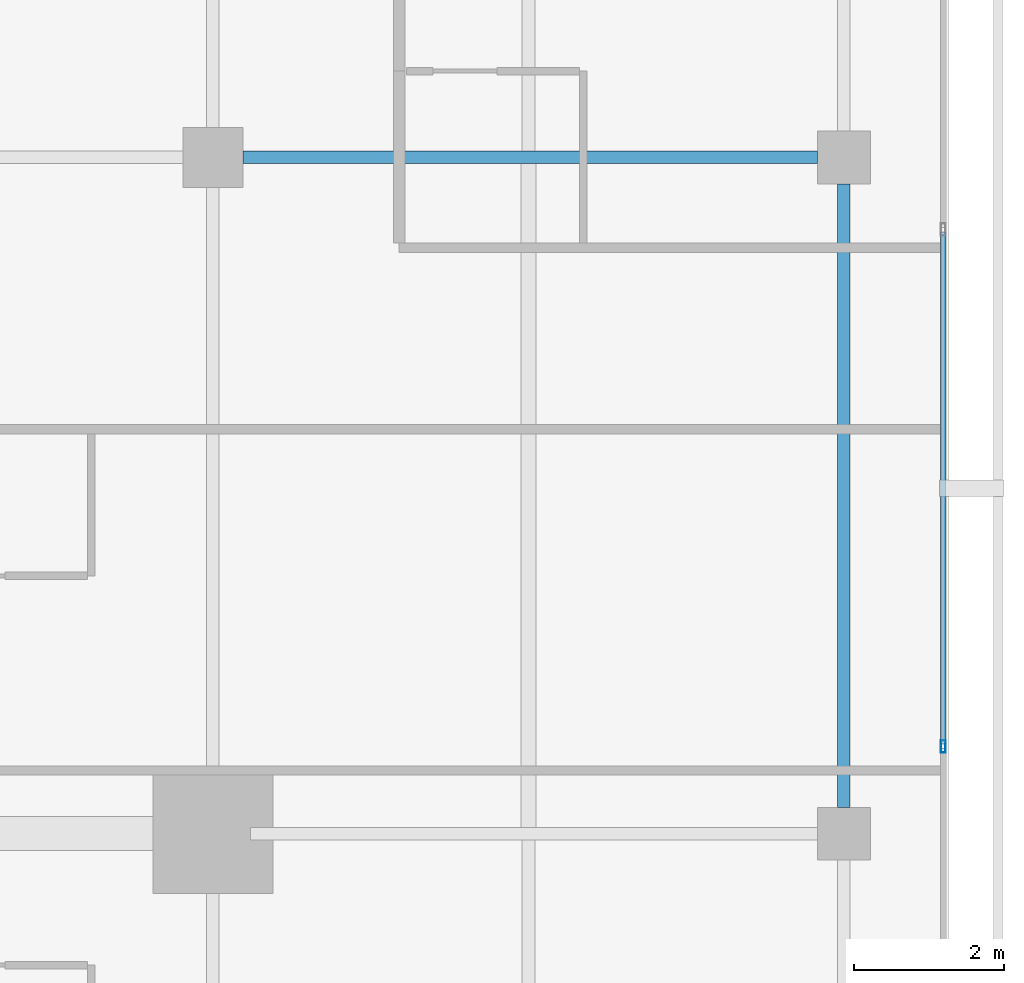
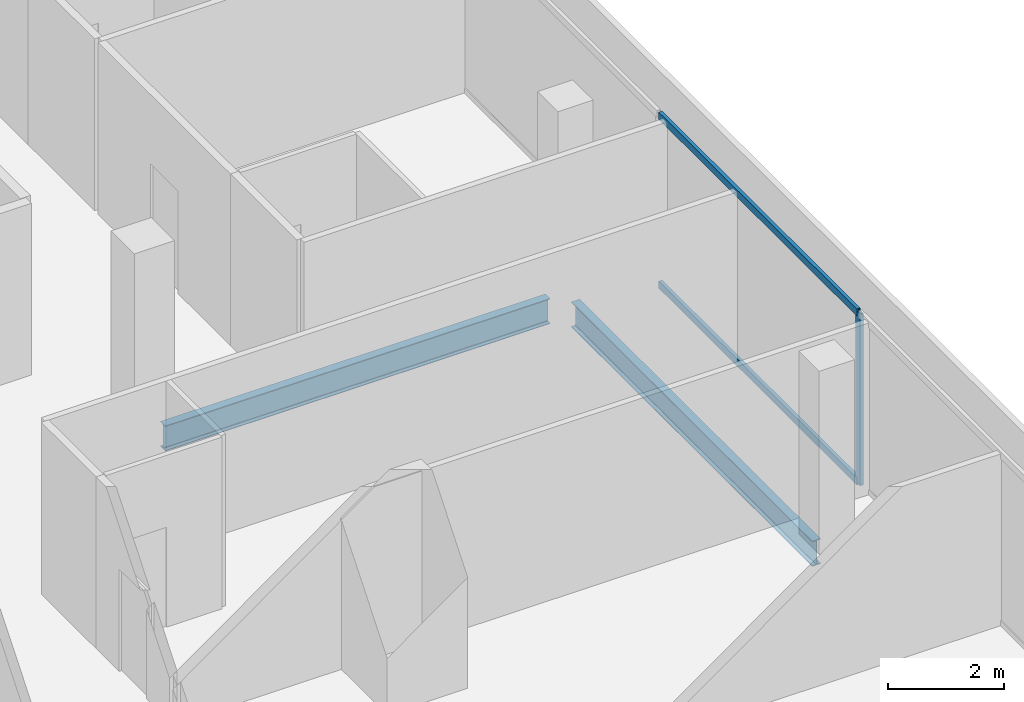
# One storey, part 14 of 25: 3 members, 2 beams, 1 element without a shape of its own.
"""IFC4 building model written with IfcOpenShell, lengths in metres."""

from ifc_helpers import new_model, si_unit, direction, frame, origin, origin_2d, place, context, subcontext, project, spatial, hollow_rectangle, i_section, extrude, material, layer, layer_set, material_profile, profile_set, type_object, element, aggregate, save


model = new_model("IFC4")

# Units and contexts
model_context = context("Model", 3, precision=1e-05, world=origin(), true_north=direction((0.0, 1.0)))
body_context = subcontext(model_context, "Body", "Model", "MODEL_VIEW")
ifc_project = project(units=[si_unit("LENGTHUNIT", "METRE"), si_unit("AREAUNIT", "SQUARE_METRE"), si_unit("VOLUMEUNIT", "CUBIC_METRE"), si_unit("PLANEANGLEUNIT", "RADIAN"), si_unit("MASSUNIT", "GRAM", prefix="KILO")], contexts=[model_context])

# Site, building, storey
site_placement = place(None, origin())
site = spatial("IfcSite", under=ifc_project, at=site_placement, CompositionType="ELEMENT")
building_placement = place(site_placement, origin())
building = spatial("IfcBuilding", under=site, at=building_placement, Name="Maruvema Waterfront Hotel and Observation Tower", CompositionType="ELEMENT")
storey_placement = place(building_placement, frame((0.0, 0.0, 297.14990234375)))
storey = spatial("IfcBuildingStorey", under=building, at=storey_placement, Name="L73", CompositionType="ELEMENT", Elevation=297.14990234375)

# Curtain wall, members
ifc_material_1 = material(Name="Anodised bronze aluminium and solar-control low-E IGU", Category="aluminium")
ifc_layer = layer(ifc_material_1, 0.159912109375, Name="Zone 3 Champagne Inner Thermal Curtain Wall System CW-04")
ifc_layer_set = layer_set([ifc_layer], Name="Anodised bronze aluminium and solar-control low-E IGU")
curtain_wall_type = type_object("IfcCurtainWallType", Name="Zone 3 Champagne Inner Thermal Curtain Wall System CW-04", PredefinedType="USERDEFINED", material=ifc_layer_set)
curtain_wall_placement = place(storey_placement, origin())
curtain_wall = element("IfcCurtainWall", 1, at=curtain_wall_placement, inside=storey, type_object=curtain_wall_type, Name="L73 Curtain Wall CW-L73-E", ObjectType="UNITISED CURTAIN WALL", PredefinedType="USERDEFINED")
ifc_material_2 = material(Name="Anodised architectural bronze aluminium", Category="aluminium")
ifc_material_profile_1 = material_profile(ifc_material_2, hollow_rectangle(XDim=0.070068359375, YDim=0.14990234375, WallThickness=0.00390625, at=origin_2d()), Name="ALU-T70x150")
ifc_profile_set_1 = profile_set([ifc_material_profile_1], Name="Anodised architectural bronze aluminium")
member_type_1 = type_object("IfcMemberType", Name="Curtain Wall Horizontal Transom ALU-T70x150", PredefinedType="USERDEFINED", material=ifc_profile_set_1)
member_1_placement = place(storey_placement, frame((60.1201171875, 28.18994140625, 0.030029296875), z_axis=(0.0, 1.0, 0.0), x_axis=(-1.0, 0.0, 0.0)))
member_1 = element("IfcMember", 2, at=member_1_placement, type_object=member_type_1, Name="CW-04 transom 3.1", ObjectType="TRANSOM", PredefinedType="USERDEFINED", context=body_context, shape_type="SweptSolid", body=[
    extrude(hollow_rectangle(XDim=0.070068359375, YDim=0.14990234375, WallThickness=0.00390625, at=origin_2d()), origin(), (0.0, 0.0, 1.0), 6.820068359375),
])
member_2_placement = place(storey_placement, frame((60.1201171875, 28.18994140625, 3.580078125), z_axis=(0.0, 1.0, 0.0), x_axis=(-1.0, 0.0, 0.0)))
member_2 = element("IfcMember", 3, at=member_2_placement, type_object=member_type_1, Name="CW-04 transom 3.2", ObjectType="TRANSOM", PredefinedType="USERDEFINED", context=body_context, shape_type="SweptSolid", body=[
    extrude(hollow_rectangle(XDim=0.070068359375, YDim=0.14990234375, WallThickness=0.00390625, at=origin_2d()), origin(), (0.0, 0.0, 1.0), 6.820068359375),
])
ifc_material_3 = material(Name="Anodised architectural bronze aluminium", Category="aluminium")
ifc_material_profile_2 = material_profile(ifc_material_3, hollow_rectangle(XDim=0.06494140625, YDim=0.1650390625, WallThickness=0.00390625, at=origin_2d()), Name="ALU-M65x165")
ifc_profile_set_2 = profile_set([ifc_material_profile_2], Name="Anodised architectural bronze aluminium")
member_type_2 = type_object("IfcMemberType", Name="Curtain Wall Primary Mullion ALU-M65x165", PredefinedType="MULLION", material=ifc_profile_set_2)
member_3_placement = place(storey_placement, frame((60.1201171875, 28.159912109375, 0.0), z_axis=(0.0, 0.0, 1.0), x_axis=(-1.0, 0.0, 0.0)))
member_3 = element("IfcMember", 4, at=member_3_placement, type_object=member_type_2, Name="CW-04 mullion 3", PredefinedType="MULLION", context=body_context, shape_type="SweptSolid", body=[
    extrude(hollow_rectangle(XDim=0.06494140625, YDim=0.1650390625, WallThickness=0.00390625, at=origin_2d()), origin(), (0.0, 0.0, 1.0), 3.610107421875),
])
aggregate(curtain_wall, [member_3, member_1, member_2])

# Beams
ifc_material_4 = material(Name="Steel ASTM A572 Grade 50", Category="steel")
ifc_material_profile_3 = material_profile(ifc_material_4, i_section(OverallWidth=0.166015625, OverallDepth=0.529052734375, WebThickness=0.009765625, FlangeThickness=0.013671875, FilletRadius=0.014892578125, at=origin_2d()), Name="W530x74.0")
ifc_profile_set_3 = profile_set([ifc_material_profile_3], Name="Steel ASTM A572 Grade 50")
beam_type = type_object("IfcBeamType", Name="Primary Floor Girder W530x74.0", PredefinedType="BEAM", material=ifc_profile_set_3)
beam_1_placement = place(storey_placement, frame((50.800048828125, 36.0, -0.50439453125), z_axis=(1.0, 0.0, 0.0), x_axis=(0.0, 1.0, 0.0)))
element("IfcBeam", 5, at=beam_1_placement, inside=storey, type_object=beam_type, Name="L73 Floor Girder EW-16", PredefinedType="BEAM", context=body_context, shape_type="SweptSolid", body=[
    extrude(i_section(OverallWidth=0.166015625, OverallDepth=0.529052734375, WebThickness=0.009765625, FlangeThickness=0.013671875, FilletRadius=0.014892578125, at=origin_2d()), origin(), (0.0, 0.0, 1.0), 7.64990234375),
])
beam_2_placement = place(storey_placement, frame((58.800048828125, 27.35009765625, -0.50439453125), z_axis=(0.0, 1.0, 0.0), x_axis=(-1.0, 0.0, 0.0)))
element("IfcBeam", 6, at=beam_2_placement, inside=storey, type_object=beam_type, Name="L73 Floor Girder NS-17", PredefinedType="BEAM", context=body_context, shape_type="SweptSolid", body=[
    extrude(i_section(OverallWidth=0.166015625, OverallDepth=0.529052734375, WebThickness=0.009765625, FlangeThickness=0.013671875, FilletRadius=0.014892578125, at=origin_2d()), origin(), (0.0, 0.0, 1.0), 8.2998046875),
])

save(model, "model.ifc")
